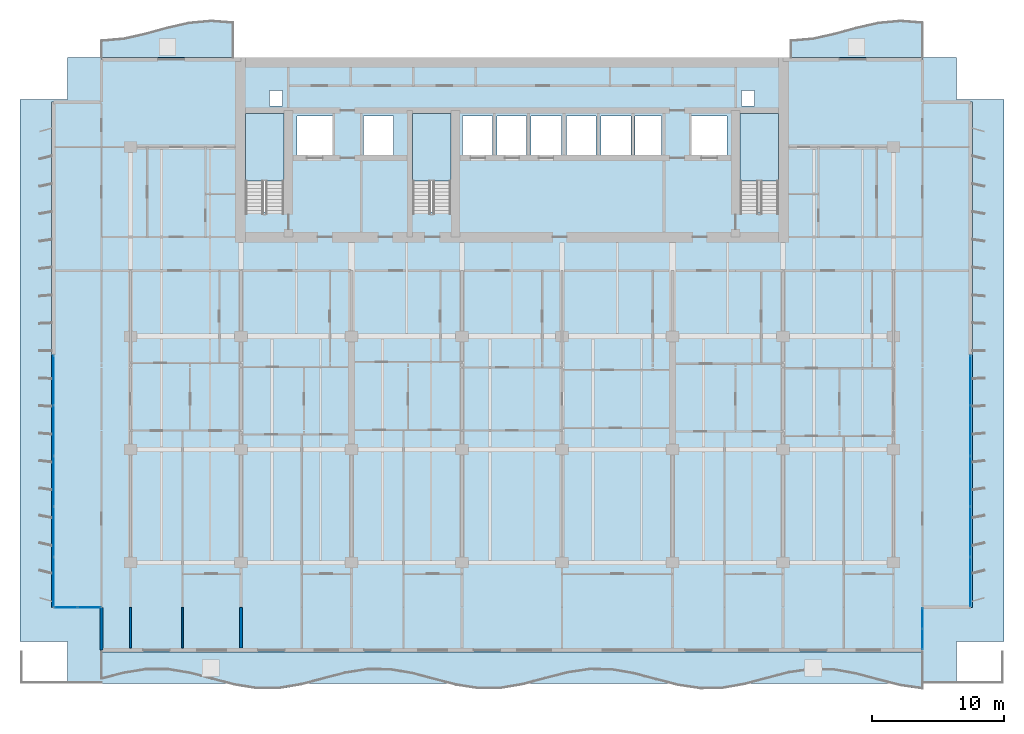
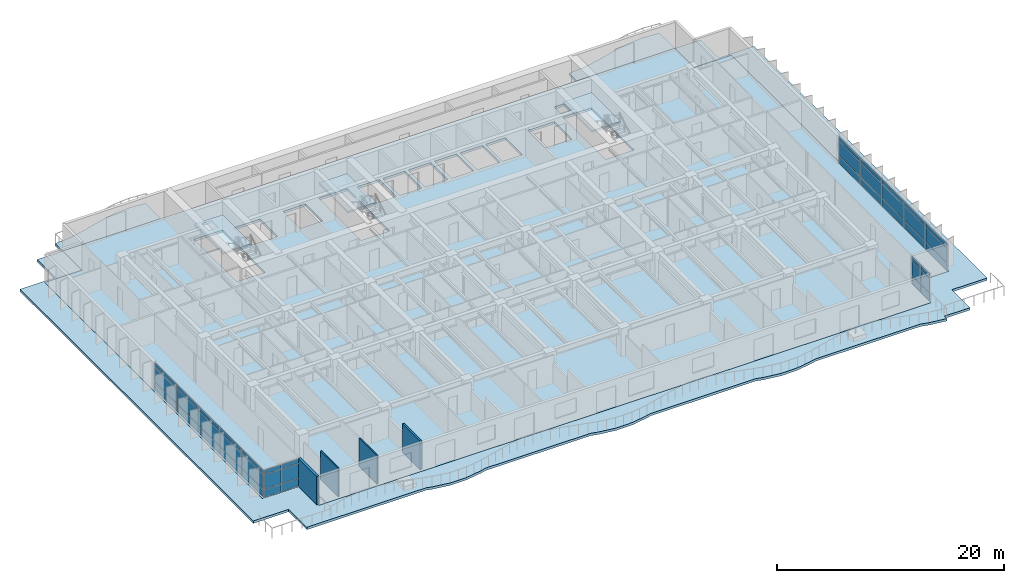
# One storey, part 5 of 17: 42 plates, 7 slabs, 4 walls, 7 elements without a shape of their own.
"""IFC4 building model written with IfcOpenShell, lengths in metres."""

from ifc_helpers import new_model, si_unit, direction, frame, frame_2d, origin, origin_2d, place, context, subcontext, project, spatial, polyline, rectangle, outline, extrude, material, layer, layer_set, type_object, element, aggregate, save


model = new_model("IFC4")

# Units and contexts
model_context = context("Model", 3, precision=1e-05, world=origin(), true_north=direction((0.0, 1.0)))
body_context = subcontext(model_context, "Body", "Model", "MODEL_VIEW")
ifc_project = project(units=[si_unit("LENGTHUNIT", "METRE"), si_unit("AREAUNIT", "SQUARE_METRE"), si_unit("VOLUMEUNIT", "CUBIC_METRE"), si_unit("PLANEANGLEUNIT", "RADIAN"), si_unit("MASSUNIT", "GRAM", prefix="KILO")], contexts=[model_context])

# Site, building, storey
site_placement = place(None, origin())
site = spatial("IfcSite", under=ifc_project, at=site_placement, CompositionType="ELEMENT")
building_placement = place(site_placement, origin())
building = spatial("IfcBuilding", under=site, at=building_placement, Name="Caelmar Bay Residences", CompositionType="ELEMENT")
storey_placement = place(building_placement, frame((0.0, 0.0, 84.60009765625)))
storey = spatial("IfcBuildingStorey", under=building, at=storey_placement, Name="L22", CompositionType="ELEMENT", Elevation=84.60009765625)

# Curtain wall, plates
ifc_material_1 = material(Name="Anodised bronze aluminium 6063-T6 and laminated glass", Category="aluminium")
ifc_layer_1 = layer(ifc_material_1, 0.179931640625)
ifc_layer_set_1 = layer_set([ifc_layer_1], Name="Anodised bronze aluminium 6063-T6 and laminated glass")
curtain_wall_type_1 = type_object("IfcCurtainWallType", Name="CW6-NTC", PredefinedType="NOTDEFINED", material=ifc_layer_set_1)
curtain_wall_1_placement = place(storey_placement, origin())
curtain_wall_1 = element("IfcCurtainWall", 1, at=curtain_wall_1_placement, inside=storey, type_object=curtain_wall_type_1, Name="CW6 curtain wall L22", PredefinedType="NOTDEFINED")
ifc_material_2 = material(Name="Bronze-tinted laminated low-E hurricane glass 28 mm", Category="glass")
ifc_layer_2 = layer(ifc_material_2, 0.028076171875)
ifc_layer_set_2 = layer_set([ifc_layer_2], Name="Bronze-tinted laminated low-E hurricane glass 28 mm")
plate_type = type_object("IfcPlateType", Name="CWP-GLZ28", PredefinedType="CURTAIN_PANEL", material=ifc_layer_set_2)
plate_1_placement = place(storey_placement, frame((4.982421875, 8.800048828125, 0.080078125), z_axis=(0.0, 0.0, 1.0), x_axis=(1.0, 0.0, 0.0)))
plate_1 = element("IfcPlate", 2, at=plate_1_placement, type_object=plate_type, Name="CW6 panel 1.1", PredefinedType="CURTAIN_PANEL", context=body_context, shape_type="SweptSolid", body=[
    extrude(rectangle(XDim=1.705078125, YDim=0.028076171875, at=origin_2d()), origin(), (0.0, 0.0, 1.0), 0.780029296875),
])
plate_2_placement = place(storey_placement, frame((4.982421875, 8.800048828125, 0.93994140625), z_axis=(0.0, 0.0, 1.0), x_axis=(1.0, 0.0, 0.0)))
plate_2 = element("IfcPlate", 3, at=plate_2_placement, type_object=plate_type, Name="CW6 panel 1.2", PredefinedType="CURTAIN_PANEL", context=body_context, shape_type="SweptSolid", body=[
    extrude(rectangle(XDim=1.705078125, YDim=0.028076171875, at=origin_2d()), origin(), (0.0, 0.0, 1.0), 1.52001953125),
])
plate_3_placement = place(storey_placement, frame((4.982421875, 8.800048828125, 2.5400390625), z_axis=(0.0, 0.0, 1.0), x_axis=(1.0, 0.0, 0.0)))
plate_3 = element("IfcPlate", 4, at=plate_3_placement, type_object=plate_type, Name="CW6 panel 1.3", PredefinedType="CURTAIN_PANEL", context=body_context, shape_type="SweptSolid", body=[
    extrude(rectangle(XDim=1.705078125, YDim=0.028076171875, at=origin_2d()), origin(), (0.0, 0.0, 1.0), 0.429931640625),
])
plate_4_placement = place(storey_placement, frame((6.767578125, 8.800048828125, 0.080078125), z_axis=(0.0, 0.0, 1.0), x_axis=(1.0, 0.0, 0.0)))
plate_4 = element("IfcPlate", 5, at=plate_4_placement, type_object=plate_type, Name="CW6 panel 2.1", PredefinedType="CURTAIN_PANEL", context=body_context, shape_type="SweptSolid", body=[
    extrude(rectangle(XDim=1.705078125, YDim=0.028076171875, at=origin_2d()), origin(), (0.0, 0.0, 1.0), 0.780029296875),
])
plate_5_placement = place(storey_placement, frame((6.767578125, 8.800048828125, 0.93994140625), z_axis=(0.0, 0.0, 1.0), x_axis=(1.0, 0.0, 0.0)))
plate_5 = element("IfcPlate", 6, at=plate_5_placement, type_object=plate_type, Name="CW6 panel 2.2", PredefinedType="CURTAIN_PANEL", context=body_context, shape_type="SweptSolid", body=[
    extrude(rectangle(XDim=1.705078125, YDim=0.028076171875, at=origin_2d()), origin(), (0.0, 0.0, 1.0), 1.52001953125),
])
plate_6_placement = place(storey_placement, frame((6.767578125, 8.800048828125, 2.5400390625), z_axis=(0.0, 0.0, 1.0), x_axis=(1.0, 0.0, 0.0)))
plate_6 = element("IfcPlate", 7, at=plate_6_placement, type_object=plate_type, Name="CW6 panel 2.3", PredefinedType="CURTAIN_PANEL", context=body_context, shape_type="SweptSolid", body=[
    extrude(rectangle(XDim=1.705078125, YDim=0.028076171875, at=origin_2d()), origin(), (0.0, 0.0, 1.0), 0.429931640625),
])
aggregate(curtain_wall_1, [plate_1, plate_2, plate_3, plate_4, plate_5, plate_6])

curtain_wall_2_placement = place(storey_placement, origin())
curtain_wall_2 = element("IfcCurtainWall", 8, at=curtain_wall_2_placement, inside=storey, type_object=curtain_wall_type_1, Name="CW6 curtain wall L22", PredefinedType="NOTDEFINED")
plate_7_placement = place(storey_placement, frame((70.10009765625, 6.382568359375, 0.080078125), z_axis=(0.0, 0.0, 1.0), x_axis=(0.0, 1.0, 0.0)))
plate_7 = element("IfcPlate", 9, at=plate_7_placement, type_object=plate_type, Name="CW6 panel 1.1", PredefinedType="CURTAIN_PANEL", context=body_context, shape_type="SweptSolid", body=[
    extrude(rectangle(XDim=1.5048828125, YDim=0.028076171875, at=origin_2d()), origin(), (0.0, 0.0, 1.0), 0.780029296875),
])
plate_8_placement = place(storey_placement, frame((70.10009765625, 6.382568359375, 0.93994140625), z_axis=(0.0, 0.0, 1.0), x_axis=(0.0, 1.0, 0.0)))
plate_8 = element("IfcPlate", 10, at=plate_8_placement, type_object=plate_type, Name="CW6 panel 1.2", PredefinedType="CURTAIN_PANEL", context=body_context, shape_type="SweptSolid", body=[
    extrude(rectangle(XDim=1.5048828125, YDim=0.028076171875, at=origin_2d()), origin(), (0.0, 0.0, 1.0), 1.52001953125),
])
plate_9_placement = place(storey_placement, frame((70.10009765625, 6.382568359375, 2.5400390625), z_axis=(0.0, 0.0, 1.0), x_axis=(0.0, 1.0, 0.0)))
plate_9 = element("IfcPlate", 11, at=plate_9_placement, type_object=plate_type, Name="CW6 panel 1.3", PredefinedType="CURTAIN_PANEL", context=body_context, shape_type="SweptSolid", body=[
    extrude(rectangle(XDim=1.5048828125, YDim=0.028076171875, at=origin_2d()), origin(), (0.0, 0.0, 1.0), 0.429931640625),
])
plate_10_placement = place(storey_placement, frame((70.10009765625, 7.967529296875, 0.080078125), z_axis=(0.0, 0.0, 1.0), x_axis=(0.0, 1.0, 0.0)))
plate_10 = element("IfcPlate", 12, at=plate_10_placement, type_object=plate_type, Name="CW6 panel 2.1", PredefinedType="CURTAIN_PANEL", context=body_context, shape_type="SweptSolid", body=[
    extrude(rectangle(XDim=1.5048828125, YDim=0.028076171875, at=origin_2d()), origin(), (0.0, 0.0, 1.0), 0.780029296875),
])
plate_11_placement = place(storey_placement, frame((70.10009765625, 7.967529296875, 0.93994140625), z_axis=(0.0, 0.0, 1.0), x_axis=(0.0, 1.0, 0.0)))
plate_11 = element("IfcPlate", 13, at=plate_11_placement, type_object=plate_type, Name="CW6 panel 2.2", PredefinedType="CURTAIN_PANEL", context=body_context, shape_type="SweptSolid", body=[
    extrude(rectangle(XDim=1.5048828125, YDim=0.028076171875, at=origin_2d()), origin(), (0.0, 0.0, 1.0), 1.52001953125),
])
plate_12_placement = place(storey_placement, frame((70.10009765625, 7.967529296875, 2.5400390625), z_axis=(0.0, 0.0, 1.0), x_axis=(0.0, 1.0, 0.0)))
plate_12 = element("IfcPlate", 14, at=plate_12_placement, type_object=plate_type, Name="CW6 panel 2.3", PredefinedType="CURTAIN_PANEL", context=body_context, shape_type="SweptSolid", body=[
    extrude(rectangle(XDim=1.5048828125, YDim=0.028076171875, at=origin_2d()), origin(), (0.0, 0.0, 1.0), 0.429931640625),
])
aggregate(curtain_wall_2, [plate_7, plate_8, plate_9, plate_10, plate_11, plate_12])

ifc_layer_3 = layer(ifc_material_1, 0.179931640625)
ifc_layer_set_3 = layer_set([ifc_layer_3], Name="Anodised bronze aluminium 6063-T6 and laminated glass")
curtain_wall_type_2 = type_object("IfcCurtainWallType", Name="CW3-Z2", PredefinedType="NOTDEFINED", material=ifc_layer_set_3)
curtain_wall_3_placement = place(storey_placement, origin())
curtain_wall_3 = element("IfcCurtainWall", 15, at=curtain_wall_3_placement, inside=storey, type_object=curtain_wall_type_2, Name="CW3 curtain wall L22", PredefinedType="NOTDEFINED")
plate_13_placement = place(storey_placement, frame((4.050048828125, 10.739990234375, 0.080078125), z_axis=(0.0, 0.0, 1.0), x_axis=(0.0, 1.0, 0.0)))
plate_13 = element("IfcPlate", 16, at=plate_13_placement, type_object=plate_type, Name="CW3 panel 1.1", PredefinedType="CURTAIN_PANEL", context=body_context, shape_type="SweptSolid", body=[
    extrude(rectangle(XDim=3.719970703125, YDim=0.028076171875, at=origin_2d()), origin(), (0.0, 0.0, 1.0), 0.780029296875),
])
plate_14_placement = place(storey_placement, frame((4.050048828125, 10.739990234375, 0.93994140625), z_axis=(0.0, 0.0, 1.0), x_axis=(0.0, 1.0, 0.0)))
plate_14 = element("IfcPlate", 17, at=plate_14_placement, type_object=plate_type, Name="CW3 panel 1.2", PredefinedType="CURTAIN_PANEL", context=body_context, shape_type="SweptSolid", body=[
    extrude(rectangle(XDim=3.719970703125, YDim=0.028076171875, at=origin_2d()), origin(), (0.0, 0.0, 1.0), 1.52001953125),
])
plate_15_placement = place(storey_placement, frame((4.050048828125, 10.739990234375, 2.5400390625), z_axis=(0.0, 0.0, 1.0), x_axis=(0.0, 1.0, 0.0)))
plate_15 = element("IfcPlate", 18, at=plate_15_placement, type_object=plate_type, Name="CW3 panel 1.3", PredefinedType="CURTAIN_PANEL", context=body_context, shape_type="SweptSolid", body=[
    extrude(rectangle(XDim=3.719970703125, YDim=0.028076171875, at=origin_2d()), origin(), (0.0, 0.0, 1.0), 0.429931640625),
])
plate_16_placement = place(storey_placement, frame((4.050048828125, 14.56005859375, 0.080078125), z_axis=(0.0, 0.0, 1.0), x_axis=(0.0, 1.0, 0.0)))
plate_16 = element("IfcPlate", 19, at=plate_16_placement, type_object=plate_type, Name="CW3 panel 2.1", PredefinedType="CURTAIN_PANEL", context=body_context, shape_type="SweptSolid", body=[
    extrude(rectangle(XDim=3.760009765625, YDim=0.028076171875, at=origin_2d()), origin(), (0.0, 0.0, 1.0), 0.780029296875),
])
plate_17_placement = place(storey_placement, frame((4.050048828125, 14.56005859375, 0.93994140625), z_axis=(0.0, 0.0, 1.0), x_axis=(0.0, 1.0, 0.0)))
plate_17 = element("IfcPlate", 20, at=plate_17_placement, type_object=plate_type, Name="CW3 panel 2.2", PredefinedType="CURTAIN_PANEL", context=body_context, shape_type="SweptSolid", body=[
    extrude(rectangle(XDim=3.760009765625, YDim=0.028076171875, at=origin_2d()), origin(), (0.0, 0.0, 1.0), 1.52001953125),
])
plate_18_placement = place(storey_placement, frame((4.050048828125, 14.56005859375, 2.5400390625), z_axis=(0.0, 0.0, 1.0), x_axis=(0.0, 1.0, 0.0)))
plate_18 = element("IfcPlate", 21, at=plate_18_placement, type_object=plate_type, Name="CW3 panel 2.3", PredefinedType="CURTAIN_PANEL", context=body_context, shape_type="SweptSolid", body=[
    extrude(rectangle(XDim=3.760009765625, YDim=0.028076171875, at=origin_2d()), origin(), (0.0, 0.0, 1.0), 0.429931640625),
])
plate_19_placement = place(storey_placement, frame((4.050048828125, 18.39990234375, 0.080078125), z_axis=(0.0, 0.0, 1.0), x_axis=(0.0, 1.0, 0.0)))
plate_19 = element("IfcPlate", 22, at=plate_19_placement, type_object=plate_type, Name="CW3 panel 3.1", PredefinedType="CURTAIN_PANEL", context=body_context, shape_type="SweptSolid", body=[
    extrude(rectangle(XDim=3.760009765625, YDim=0.028076171875, at=origin_2d()), origin(), (0.0, 0.0, 1.0), 0.780029296875),
])
plate_20_placement = place(storey_placement, frame((4.050048828125, 18.39990234375, 0.93994140625), z_axis=(0.0, 0.0, 1.0), x_axis=(0.0, 1.0, 0.0)))
plate_20 = element("IfcPlate", 23, at=plate_20_placement, type_object=plate_type, Name="CW3 panel 3.2", PredefinedType="CURTAIN_PANEL", context=body_context, shape_type="SweptSolid", body=[
    extrude(rectangle(XDim=3.760009765625, YDim=0.028076171875, at=origin_2d()), origin(), (0.0, 0.0, 1.0), 1.52001953125),
])
plate_21_placement = place(storey_placement, frame((4.050048828125, 18.39990234375, 2.5400390625), z_axis=(0.0, 0.0, 1.0), x_axis=(0.0, 1.0, 0.0)))
plate_21 = element("IfcPlate", 24, at=plate_21_placement, type_object=plate_type, Name="CW3 panel 3.3", PredefinedType="CURTAIN_PANEL", context=body_context, shape_type="SweptSolid", body=[
    extrude(rectangle(XDim=3.760009765625, YDim=0.028076171875, at=origin_2d()), origin(), (0.0, 0.0, 1.0), 0.429931640625),
])
plate_22_placement = place(storey_placement, frame((4.050048828125, 22.239990234375, 0.080078125), z_axis=(0.0, 0.0, 1.0), x_axis=(0.0, 1.0, 0.0)))
plate_22 = element("IfcPlate", 25, at=plate_22_placement, type_object=plate_type, Name="CW3 panel 4.1", PredefinedType="CURTAIN_PANEL", context=body_context, shape_type="SweptSolid", body=[
    extrude(rectangle(XDim=3.760009765625, YDim=0.028076171875, at=origin_2d()), origin(), (0.0, 0.0, 1.0), 0.780029296875),
])
plate_23_placement = place(storey_placement, frame((4.050048828125, 22.239990234375, 0.93994140625), z_axis=(0.0, 0.0, 1.0), x_axis=(0.0, 1.0, 0.0)))
plate_23 = element("IfcPlate", 26, at=plate_23_placement, type_object=plate_type, Name="CW3 panel 4.2", PredefinedType="CURTAIN_PANEL", context=body_context, shape_type="SweptSolid", body=[
    extrude(rectangle(XDim=3.760009765625, YDim=0.028076171875, at=origin_2d()), origin(), (0.0, 0.0, 1.0), 1.52001953125),
])
plate_24_placement = place(storey_placement, frame((4.050048828125, 22.239990234375, 2.5400390625), z_axis=(0.0, 0.0, 1.0), x_axis=(0.0, 1.0, 0.0)))
plate_24 = element("IfcPlate", 27, at=plate_24_placement, type_object=plate_type, Name="CW3 panel 4.3", PredefinedType="CURTAIN_PANEL", context=body_context, shape_type="SweptSolid", body=[
    extrude(rectangle(XDim=3.760009765625, YDim=0.028076171875, at=origin_2d()), origin(), (0.0, 0.0, 1.0), 0.429931640625),
])
plate_25_placement = place(storey_placement, frame((4.050048828125, 26.06005859375, 0.080078125), z_axis=(0.0, 0.0, 1.0), x_axis=(0.0, 1.0, 0.0)))
plate_25 = element("IfcPlate", 28, at=plate_25_placement, type_object=plate_type, Name="CW3 panel 5.1", PredefinedType="CURTAIN_PANEL", context=body_context, shape_type="SweptSolid", body=[
    extrude(rectangle(XDim=3.719970703125, YDim=0.028076171875, at=origin_2d()), origin(), (0.0, 0.0, 1.0), 0.780029296875),
])
plate_26_placement = place(storey_placement, frame((4.050048828125, 26.06005859375, 0.93994140625), z_axis=(0.0, 0.0, 1.0), x_axis=(0.0, 1.0, 0.0)))
plate_26 = element("IfcPlate", 29, at=plate_26_placement, type_object=plate_type, Name="CW3 panel 5.2", PredefinedType="CURTAIN_PANEL", context=body_context, shape_type="SweptSolid", body=[
    extrude(rectangle(XDim=3.719970703125, YDim=0.028076171875, at=origin_2d()), origin(), (0.0, 0.0, 1.0), 1.52001953125),
])
plate_27_placement = place(storey_placement, frame((4.050048828125, 26.06005859375, 2.5400390625), z_axis=(0.0, 0.0, 1.0), x_axis=(0.0, 1.0, 0.0)))
plate_27 = element("IfcPlate", 30, at=plate_27_placement, type_object=plate_type, Name="CW3 panel 5.3", PredefinedType="CURTAIN_PANEL", context=body_context, shape_type="SweptSolid", body=[
    extrude(rectangle(XDim=3.719970703125, YDim=0.028076171875, at=origin_2d()), origin(), (0.0, 0.0, 1.0), 0.429931640625),
])
aggregate(curtain_wall_3, [plate_13, plate_14, plate_15, plate_16, plate_17, plate_18, plate_19, plate_20, plate_21, plate_22, plate_23, plate_24, plate_25, plate_26, plate_27])

curtain_wall_4_placement = place(storey_placement, origin())
curtain_wall_4 = element("IfcCurtainWall", 31, at=curtain_wall_4_placement, inside=storey, type_object=curtain_wall_type_2, Name="CW3 curtain wall L22", PredefinedType="NOTDEFINED")
plate_28_placement = place(storey_placement, frame((73.75, 26.06005859375, 0.080078125), z_axis=(0.0, 0.0, 1.0), x_axis=(0.0, -1.0, 0.0)))
plate_28 = element("IfcPlate", 32, at=plate_28_placement, type_object=plate_type, Name="CW3 panel 1.1", PredefinedType="CURTAIN_PANEL", context=body_context, shape_type="SweptSolid", body=[
    extrude(rectangle(XDim=3.719970703125, YDim=0.028076171875, at=origin_2d()), origin(), (0.0, 0.0, 1.0), 0.780029296875),
])
plate_29_placement = place(storey_placement, frame((73.75, 26.06005859375, 0.93994140625), z_axis=(0.0, 0.0, 1.0), x_axis=(0.0, -1.0, 0.0)))
plate_29 = element("IfcPlate", 33, at=plate_29_placement, type_object=plate_type, Name="CW3 panel 1.2", PredefinedType="CURTAIN_PANEL", context=body_context, shape_type="SweptSolid", body=[
    extrude(rectangle(XDim=3.719970703125, YDim=0.028076171875, at=origin_2d()), origin(), (0.0, 0.0, 1.0), 1.52001953125),
])
plate_30_placement = place(storey_placement, frame((73.75, 26.06005859375, 2.5400390625), z_axis=(0.0, 0.0, 1.0), x_axis=(0.0, -1.0, 0.0)))
plate_30 = element("IfcPlate", 34, at=plate_30_placement, type_object=plate_type, Name="CW3 panel 1.3", PredefinedType="CURTAIN_PANEL", context=body_context, shape_type="SweptSolid", body=[
    extrude(rectangle(XDim=3.719970703125, YDim=0.028076171875, at=origin_2d()), origin(), (0.0, 0.0, 1.0), 0.429931640625),
])
plate_31_placement = place(storey_placement, frame((73.75, 22.239990234375, 0.080078125), z_axis=(0.0, 0.0, 1.0), x_axis=(0.0, -1.0, 0.0)))
plate_31 = element("IfcPlate", 35, at=plate_31_placement, type_object=plate_type, Name="CW3 panel 2.1", PredefinedType="CURTAIN_PANEL", context=body_context, shape_type="SweptSolid", body=[
    extrude(rectangle(XDim=3.760009765625, YDim=0.028076171875, at=origin_2d()), origin(), (0.0, 0.0, 1.0), 0.780029296875),
])
plate_32_placement = place(storey_placement, frame((73.75, 22.239990234375, 0.93994140625), z_axis=(0.0, 0.0, 1.0), x_axis=(0.0, -1.0, 0.0)))
plate_32 = element("IfcPlate", 36, at=plate_32_placement, type_object=plate_type, Name="CW3 panel 2.2", PredefinedType="CURTAIN_PANEL", context=body_context, shape_type="SweptSolid", body=[
    extrude(rectangle(XDim=3.760009765625, YDim=0.028076171875, at=origin_2d()), origin(), (0.0, 0.0, 1.0), 1.52001953125),
])
plate_33_placement = place(storey_placement, frame((73.75, 22.239990234375, 2.5400390625), z_axis=(0.0, 0.0, 1.0), x_axis=(0.0, -1.0, 0.0)))
plate_33 = element("IfcPlate", 37, at=plate_33_placement, type_object=plate_type, Name="CW3 panel 2.3", PredefinedType="CURTAIN_PANEL", context=body_context, shape_type="SweptSolid", body=[
    extrude(rectangle(XDim=3.760009765625, YDim=0.028076171875, at=origin_2d()), origin(), (0.0, 0.0, 1.0), 0.429931640625),
])
plate_34_placement = place(storey_placement, frame((73.75, 18.39990234375, 0.080078125), z_axis=(0.0, 0.0, 1.0), x_axis=(0.0, -1.0, 0.0)))
plate_34 = element("IfcPlate", 38, at=plate_34_placement, type_object=plate_type, Name="CW3 panel 3.1", PredefinedType="CURTAIN_PANEL", context=body_context, shape_type="SweptSolid", body=[
    extrude(rectangle(XDim=3.760009765625, YDim=0.028076171875, at=origin_2d()), origin(), (0.0, 0.0, 1.0), 0.780029296875),
])
plate_35_placement = place(storey_placement, frame((73.75, 18.39990234375, 0.93994140625), z_axis=(0.0, 0.0, 1.0), x_axis=(0.0, -1.0, 0.0)))
plate_35 = element("IfcPlate", 39, at=plate_35_placement, type_object=plate_type, Name="CW3 panel 3.2", PredefinedType="CURTAIN_PANEL", context=body_context, shape_type="SweptSolid", body=[
    extrude(rectangle(XDim=3.760009765625, YDim=0.028076171875, at=origin_2d()), origin(), (0.0, 0.0, 1.0), 1.52001953125),
])
plate_36_placement = place(storey_placement, frame((73.75, 18.39990234375, 2.5400390625), z_axis=(0.0, 0.0, 1.0), x_axis=(0.0, -1.0, 0.0)))
plate_36 = element("IfcPlate", 40, at=plate_36_placement, type_object=plate_type, Name="CW3 panel 3.3", PredefinedType="CURTAIN_PANEL", context=body_context, shape_type="SweptSolid", body=[
    extrude(rectangle(XDim=3.760009765625, YDim=0.028076171875, at=origin_2d()), origin(), (0.0, 0.0, 1.0), 0.429931640625),
])
plate_37_placement = place(storey_placement, frame((73.75, 14.56005859375, 0.080078125), z_axis=(0.0, 0.0, 1.0), x_axis=(0.0, -1.0, 0.0)))
plate_37 = element("IfcPlate", 41, at=plate_37_placement, type_object=plate_type, Name="CW3 panel 4.1", PredefinedType="CURTAIN_PANEL", context=body_context, shape_type="SweptSolid", body=[
    extrude(rectangle(XDim=3.760009765625, YDim=0.028076171875, at=origin_2d()), origin(), (0.0, 0.0, 1.0), 0.780029296875),
])
plate_38_placement = place(storey_placement, frame((73.75, 14.56005859375, 0.93994140625), z_axis=(0.0, 0.0, 1.0), x_axis=(0.0, -1.0, 0.0)))
plate_38 = element("IfcPlate", 42, at=plate_38_placement, type_object=plate_type, Name="CW3 panel 4.2", PredefinedType="CURTAIN_PANEL", context=body_context, shape_type="SweptSolid", body=[
    extrude(rectangle(XDim=3.760009765625, YDim=0.028076171875, at=origin_2d()), origin(), (0.0, 0.0, 1.0), 1.52001953125),
])
plate_39_placement = place(storey_placement, frame((73.75, 14.56005859375, 2.5400390625), z_axis=(0.0, 0.0, 1.0), x_axis=(0.0, -1.0, 0.0)))
plate_39 = element("IfcPlate", 43, at=plate_39_placement, type_object=plate_type, Name="CW3 panel 4.3", PredefinedType="CURTAIN_PANEL", context=body_context, shape_type="SweptSolid", body=[
    extrude(rectangle(XDim=3.760009765625, YDim=0.028076171875, at=origin_2d()), origin(), (0.0, 0.0, 1.0), 0.429931640625),
])
plate_40_placement = place(storey_placement, frame((73.75, 10.739990234375, 0.080078125), z_axis=(0.0, 0.0, 1.0), x_axis=(0.0, -1.0, 0.0)))
plate_40 = element("IfcPlate", 44, at=plate_40_placement, type_object=plate_type, Name="CW3 panel 5.1", PredefinedType="CURTAIN_PANEL", context=body_context, shape_type="SweptSolid", body=[
    extrude(rectangle(XDim=3.719970703125, YDim=0.028076171875, at=origin_2d()), origin(), (0.0, 0.0, 1.0), 0.780029296875),
])
plate_41_placement = place(storey_placement, frame((73.75, 10.739990234375, 0.93994140625), z_axis=(0.0, 0.0, 1.0), x_axis=(0.0, -1.0, 0.0)))
plate_41 = element("IfcPlate", 45, at=plate_41_placement, type_object=plate_type, Name="CW3 panel 5.2", PredefinedType="CURTAIN_PANEL", context=body_context, shape_type="SweptSolid", body=[
    extrude(rectangle(XDim=3.719970703125, YDim=0.028076171875, at=origin_2d()), origin(), (0.0, 0.0, 1.0), 1.52001953125),
])
plate_42_placement = place(storey_placement, frame((73.75, 10.739990234375, 2.5400390625), z_axis=(0.0, 0.0, 1.0), x_axis=(0.0, -1.0, 0.0)))
plate_42 = element("IfcPlate", 46, at=plate_42_placement, type_object=plate_type, Name="CW3 panel 5.3", PredefinedType="CURTAIN_PANEL", context=body_context, shape_type="SweptSolid", body=[
    extrude(rectangle(XDim=3.719970703125, YDim=0.028076171875, at=origin_2d()), origin(), (0.0, 0.0, 1.0), 0.429931640625),
])
aggregate(curtain_wall_4, [plate_28, plate_29, plate_30, plate_31, plate_32, plate_33, plate_34, plate_35, plate_36, plate_37, plate_38, plate_39, plate_40, plate_41, plate_42])

# Stair, slab
ifc_material_3 = material(Name="Concrete f'c 40 MPa (6,000 psi)", Category="concrete")
stair_type = type_object("IfcStairType", Name="ST-TYP-165", PredefinedType="HALF_TURN_STAIR", material=ifc_material_3)
stair_1_placement = place(storey_placement, origin())
stair_1 = element("IfcStair", 47, at=stair_1_placement, inside=storey, type_object=stair_type, Name="L22 West Smokeproof Exit Stair ST1", PredefinedType="HALF_TURN_STAIR")
ifc_layer_4 = layer(ifc_material_3, 0.199951171875)
ifc_layer_set_4 = layer_set([ifc_layer_4], Name="Concrete f'c 40 MPa (6,000 psi)")
slab_type_1 = type_object("IfcSlabType", Name="SLB-LND-200", PredefinedType="LANDING", material=ifc_layer_set_4)
slab_1_placement = place(storey_placement, frame((0.0, 0.0, 1.449951171875)))
slab_1 = element("IfcSlab", 48, at=slab_1_placement, type_object=slab_type_1, Name="ST1 landing 1", PredefinedType="LANDING", context=body_context, shape_type="SweptSolid", body=[
    extrude(outline(polyline([(21.550048828125, 41.219970703125), (21.550048828125, 46.35009765625), (18.64990234375, 46.35009765625), (18.64990234375, 41.219970703125), (21.550048828125, 41.219970703125)])), origin(), (0.0, 0.0, 1.0), 0.199951171875),
])
aggregate(stair_1, [slab_1])

stair_2_placement = place(storey_placement, origin())
stair_2 = element("IfcStair", 49, at=stair_2_placement, inside=storey, type_object=stair_type, Name="L22 East Smokeproof Exit Stair ST2", PredefinedType="HALF_TURN_STAIR")
slab_2_placement = place(storey_placement, frame((0.0, 0.0, 1.449951171875)))
slab_2 = element("IfcSlab", 50, at=slab_2_placement, type_object=slab_type_1, Name="ST2 landing 1", PredefinedType="LANDING", context=body_context, shape_type="SweptSolid", body=[
    extrude(outline(polyline([(59.14990234375, 41.219970703125), (59.14990234375, 46.35009765625), (56.25, 46.35009765625), (56.25, 41.219970703125), (59.14990234375, 41.219970703125)])), origin(), (0.0, 0.0, 1.0), 0.199951171875),
])
aggregate(stair_2, [slab_2])

stair_3_placement = place(storey_placement, origin())
stair_3 = element("IfcStair", 51, at=stair_3_placement, inside=storey, type_object=stair_type, Name="L22 Central Smokeproof Exit Stair ST3", PredefinedType="HALF_TURN_STAIR")
slab_3_placement = place(storey_placement, frame((0.0, 0.0, 1.449951171875)))
slab_3 = element("IfcSlab", 52, at=slab_3_placement, type_object=slab_type_1, Name="ST3 landing 1", PredefinedType="LANDING", context=body_context, shape_type="SweptSolid", body=[
    extrude(outline(polyline([(34.25, 41.219970703125), (34.25, 46.35009765625), (31.35009765625, 46.35009765625), (31.35009765625, 41.219970703125), (34.25, 41.219970703125)])), origin(), (0.0, 0.0, 1.0), 0.199951171875),
])
aggregate(stair_3, [slab_3])

# Slabs
ifc_layer_5 = layer(ifc_material_3, 0.25)
ifc_layer_set_5 = layer_set([ifc_layer_5], Name="Concrete f'c 40 MPa (6,000 psi)")
slab_type_2 = type_object("IfcSlabType", Name="SLB-RES-250", PredefinedType="FLOOR", material=ifc_layer_set_5)
slab_4_placement = place(storey_placement, frame((0.0, 0.0, -0.25)))
element("IfcSlab", 53, at=slab_4_placement, inside=storey, type_object=slab_type_2, Name="L22 Structural Floor Slab", PredefinedType="FLOOR", context=body_context, shape_type="SweptSolid", body=[
    extrude(outline(polyline([(7.699951171875, 5.39990234375), (70.10009765625, 5.39990234375), (70.10009765625, 8.800048828125), (73.89990234375, 8.800048828125), (73.89990234375, 47.199951171875), (70.10009765625, 47.199951171875), (70.10009765625, 50.60009765625), (7.699951171875, 50.60009765625), (7.699951171875, 47.199951171875), (3.89990234375, 47.199951171875), (3.89990234375, 8.800048828125), (7.699951171875, 8.800048828125), (7.699951171875, 5.39990234375)]), holes=[polyline([(18.64990234375, 38.85009765625), (21.550048828125, 38.85009765625), (21.550048828125, 46.35009765625), (18.64990234375, 46.35009765625), (18.64990234375, 38.85009765625)]), polyline([(56.25, 38.85009765625), (59.14990234375, 38.85009765625), (59.14990234375, 46.35009765625), (56.25, 46.35009765625), (56.25, 38.85009765625)]), polyline([(31.35009765625, 38.85009765625), (34.25, 38.85009765625), (34.25, 46.35009765625), (31.35009765625, 46.35009765625), (31.35009765625, 38.85009765625)]), polyline([(22.550048828125, 43.050048828125), (25.25, 43.050048828125), (25.25, 46.14990234375), (22.550048828125, 46.14990234375), (22.550048828125, 43.050048828125)]), polyline([(52.550048828125, 43.050048828125), (55.25, 43.050048828125), (55.25, 46.14990234375), (52.550048828125, 46.14990234375), (52.550048828125, 43.050048828125)]), polyline([(35.14990234375, 43.14990234375), (37.39990234375, 43.14990234375), (37.39990234375, 46.14990234375), (35.14990234375, 46.14990234375), (35.14990234375, 43.14990234375)]), polyline([(37.75, 43.14990234375), (40.0, 43.14990234375), (40.0, 46.14990234375), (37.75, 46.14990234375), (37.75, 43.14990234375)]), polyline([(40.35009765625, 43.14990234375), (42.64990234375, 43.14990234375), (42.64990234375, 46.14990234375), (40.35009765625, 46.14990234375), (40.35009765625, 43.14990234375)]), polyline([(43.050048828125, 43.14990234375), (45.300048828125, 43.14990234375), (45.300048828125, 46.14990234375), (43.050048828125, 46.14990234375), (43.050048828125, 43.14990234375)]), polyline([(45.64990234375, 43.14990234375), (47.949951171875, 43.14990234375), (47.949951171875, 46.14990234375), (45.64990234375, 46.14990234375), (45.64990234375, 43.14990234375)]), polyline([(48.25, 43.14990234375), (50.25, 43.14990234375), (50.25, 46.14990234375), (48.25, 46.14990234375), (48.25, 43.14990234375)]), polyline([(27.60009765625, 43.14990234375), (29.89990234375, 43.14990234375), (29.89990234375, 46.14990234375), (27.60009765625, 46.14990234375), (27.60009765625, 43.14990234375)]), polyline([(20.449951171875, 46.89990234375), (21.449951171875, 46.89990234375), (21.449951171875, 48.10009765625), (20.449951171875, 48.10009765625), (20.449951171875, 46.89990234375)]), polyline([(56.35009765625, 46.89990234375), (57.35009765625, 46.89990234375), (57.35009765625, 48.10009765625), (56.35009765625, 48.10009765625), (56.35009765625, 46.89990234375)])]), origin(), (0.0, 0.0, 1.0), 0.25),
])
ifc_layer_6 = layer(ifc_material_3, 0.260009765625)
ifc_layer_set_6 = layer_set([ifc_layer_6], Name="Concrete f'c 40 MPa (6,000 psi)")
slab_type_3 = type_object("IfcSlabType", Name="SLB-TER-260", PredefinedType="ROOF", material=ifc_layer_set_6)
slab_5_placement = place(storey_placement, frame((0.0, 0.0, -0.260009765625)))
element("IfcSlab", 54, at=slab_5_placement, inside=storey, type_object=slab_type_3, Name="L22 Exterior Stepped Terrace Roof Slab 1", PredefinedType="ROOF", context=body_context, shape_type="SweptSolid", body=[
    extrude(outline(polyline([(21.19189453125, 2.59130859375), (22.87841796875, 2.87255859375), (23.36083984375, 3.0), (34.05029296875, 3.0), (34.683837890625, 2.8359375), (36.370361328125, 2.577880859375), (38.056884765625, 2.597412109375), (39.7431640625, 2.8876953125), (40.16552734375, 3.0), (50.85400390625, 3.0), (51.548583984375, 2.82177734375), (53.235107421875, 2.572998046875), (54.921630859375, 2.60400390625), (56.608154296875, 2.90283203125), (56.970703125, 3.0), (67.657470703125, 3.0), (68.41357421875, 2.807861328125), (70.10009765625, 2.56884765625), (70.10009765625, 3.0), (72.699951171875, 3.0), (72.699951171875, 6.199951171875), (76.300048828125, 6.199951171875), (76.300048828125, 47.39990234375), (72.699951171875, 47.39990234375), (72.699951171875, 50.60009765625), (70.10009765625, 50.60009765625), (70.10009765625, 47.199951171875), (73.89990234375, 47.199951171875), (73.89990234375, 8.800048828125), (70.10009765625, 8.800048828125), (70.10009765625, 5.39990234375), (7.699951171875, 5.39990234375), (7.699951171875, 8.800048828125), (3.89990234375, 8.800048828125), (3.89990234375, 47.199951171875), (7.699951171875, 47.199951171875), (7.699951171875, 50.60009765625), (5.10009765625, 50.60009765625), (5.10009765625, 47.39990234375), (1.5, 47.39990234375), (1.5, 6.199951171875), (5.10009765625, 6.199951171875), (5.10009765625, 3.0), (17.24609375, 3.0), (17.81884765625, 2.850341796875), (19.50537109375, 2.5830078125), (21.19189453125, 2.59130859375)])), origin(), (0.0, 0.0, 1.0), 0.260009765625),
])
slab_6_placement = place(storey_placement, frame((0.0, 0.0, -0.260009765625)))
element("IfcSlab", 55, at=slab_6_placement, inside=storey, type_object=slab_type_3, Name="L22 Exterior Stepped Terrace Roof Slab 2", PredefinedType="ROOF", context=body_context, shape_type="SweptSolid", body=[
    extrude(outline(polyline([(7.699951171875, 50.60009765625), (17.699951171875, 50.60009765625), (17.699951171875, 53.319580078125), (16.033203125, 53.44970703125), (14.36669921875, 53.2978515625), (12.699951171875, 52.921142578125), (11.033203125, 52.461181640625), (9.36669921875, 52.091064453125), (7.699951171875, 51.949951171875), (7.699951171875, 50.60009765625)])), origin(), (0.0, 0.0, 1.0), 0.260009765625),
])
slab_7_placement = place(storey_placement, frame((0.0, 0.0, -0.260009765625)))
element("IfcSlab", 56, at=slab_7_placement, inside=storey, type_object=slab_type_3, Name="L22 Exterior Stepped Terrace Roof Slab 3", PredefinedType="ROOF", context=body_context, shape_type="SweptSolid", body=[
    extrude(outline(polyline([(60.10009765625, 50.60009765625), (70.10009765625, 50.60009765625), (70.10009765625, 53.319580078125), (68.433349609375, 53.44970703125), (66.7666015625, 53.2978515625), (65.10009765625, 52.921142578125), (63.433349609375, 52.461181640625), (61.7666015625, 52.091064453125), (60.10009765625, 51.949951171875), (60.10009765625, 50.60009765625)])), origin(), (0.0, 0.0, 1.0), 0.260009765625),
])

# Walls
ifc_material_4 = material(Name="Precast concrete f'c 40 MPa (6,000 psi)", Category="concrete")
ifc_layer_7 = layer(ifc_material_4, 0.25)
ifc_layer_set_7 = layer_set([ifc_layer_7], Name="Precast concrete f'c 40 MPa (6,000 psi)")
wall_type_1 = type_object("IfcWallType", Name="W-EXT-250", PredefinedType="ELEMENTEDWALL", material=ifc_layer_set_7)
wall_1_placement = place(storey_placement, frame((7.699951171875, 8.800048828125, 0.0), z_axis=(0.0, 0.0, 1.0), x_axis=(0.0, -1.0, 0.0)))
element("IfcWall", 57, at=wall_1_placement, inside=storey, type_object=wall_type_1, Name="L22 SW Notch Return Wall", PredefinedType="ELEMENTEDWALL", context=body_context, shape_type="SweptSolid", body=[
    extrude(rectangle(XDim=3.25, YDim=0.25, at=frame_2d((1.625, 0.0))), origin(), (0.0, 0.0, 1.0), 3.0498046875),
])
ifc_material_5 = material(Name="Acoustic metal-stud gypsum partition 120 mm")
ifc_layer_8 = layer(ifc_material_5, 0.1201171875)
ifc_layer_set_8 = layer_set([ifc_layer_8], Name="Acoustic metal-stud gypsum partition 120 mm")
wall_type_2 = type_object("IfcWallType", Name="W-PRT-120", PredefinedType="PARTITIONING", material=ifc_layer_set_8)
for number, where, z_axis, x_axis, name in (
    (58, (9.89990234375, 5.695068359375, 0.0), (0.0, 0.0, 1.0), (0.0, 1.0, 0.0), "L22 Partition Wall V008"),
    (59, (13.847900390625, 5.695068359375, 0.0), (0.0, 0.0, 1.0), (0.0, 1.0, 0.0), "L22 Partition Wall V014"),
):
    element("IfcWall", number, at=place(storey_placement, frame(where, z_axis=z_axis, x_axis=x_axis)), inside=storey, type_object=wall_type_2, Name=name, PredefinedType="PARTITIONING", context=body_context, shape_type="SweptSolid", body=[
        extrude(rectangle(XDim=3.10498046875, YDim=0.1201171875, at=frame_2d((1.552490234375, 0.0))), origin(), (0.0, 0.0, 1.0), 3.0498046875),
    ])
ifc_material_6 = material(Name="Acoustic twin-stud fire-rated inter-tenancy partition 200 mm")
ifc_layer_9 = layer(ifc_material_6, 0.199951171875)
ifc_layer_set_9 = layer_set([ifc_layer_9], Name="Acoustic twin-stud fire-rated inter-tenancy partition 200 mm")
wall_type_3 = type_object("IfcWallType", Name="W-PTY-200", PredefinedType="PARTITIONING", material=ifc_layer_set_9)
wall_2_placement = place(storey_placement, frame((18.300048828125, 5.695068359375, 0.0), z_axis=(0.0, 0.0, 1.0), x_axis=(0.0, 1.0, 0.0)))
element("IfcWall", 60, at=wall_2_placement, inside=storey, type_object=wall_type_3, Name="L22 Partition Wall V020", PredefinedType="PARTITIONING", context=body_context, shape_type="SweptSolid", body=[
    extrude(rectangle(XDim=3.10498046875, YDim=0.199951171875, at=frame_2d((1.552490234375, 0.0))), origin(), (0.0, 0.0, 1.0), 3.0498046875),
])

save(model, "model.ifc")
